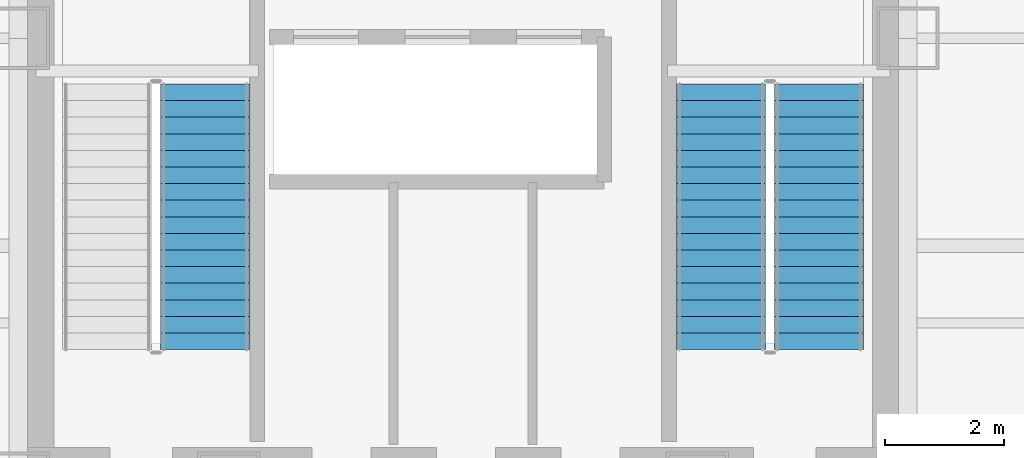
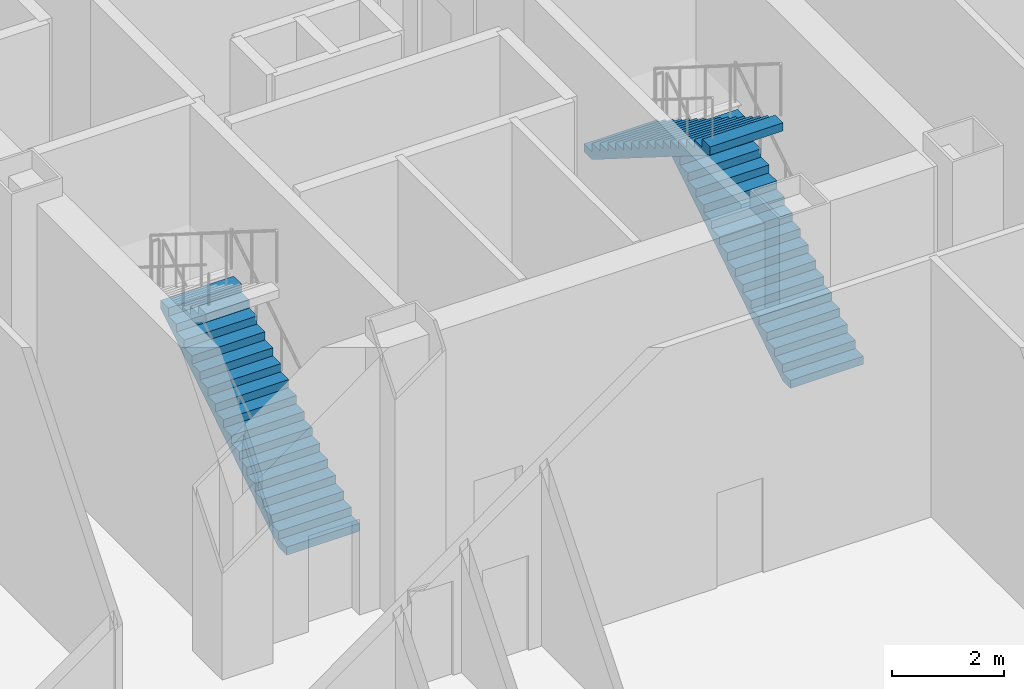
# One storey, part 4 of 7: 3 stair flights, 2 elements without a shape of their own.
"""IFC4 building model written with IfcOpenShell, lengths in metres."""

from ifc_helpers import new_model, si_unit, direction, frame, origin, place, context, subcontext, project, spatial, polyline, outline, extrude, material, type_object, element, aggregate, save


model = new_model("IFC4")

# Units and contexts
model_context = context("Model", 3, precision=1e-05, world=origin(), true_north=direction((0.0, 1.0)))
body_context = subcontext(model_context, "Body", "Model", "MODEL_VIEW")
ifc_project = project(units=[si_unit("LENGTHUNIT", "METRE"), si_unit("AREAUNIT", "SQUARE_METRE"), si_unit("VOLUMEUNIT", "CUBIC_METRE"), si_unit("PLANEANGLEUNIT", "RADIAN"), si_unit("MASSUNIT", "GRAM", prefix="KILO")], contexts=[model_context])

# Site, building, storey
site_placement = place(None, origin())
site = spatial("IfcSite", under=ifc_project, at=site_placement, CompositionType="ELEMENT")
building_placement = place(site_placement, origin())
building = spatial("IfcBuilding", under=site, at=building_placement, Name="Trevonay Congress Spire", CompositionType="ELEMENT")
storey_placement = place(building_placement, frame((0.0, 0.0, 160.199951171875)))
storey = spatial("IfcBuildingStorey", under=building, at=storey_placement, Name="L41", CompositionType="ELEMENT", Elevation=160.199951171875)

# Stair, stair flight
ifc_material = material(Name="Concrete C40/50", Category="concrete")
stair_type_1 = type_object("IfcStairType", Name="STR-ST-1", PredefinedType="HALF_TURN_STAIR", material=ifc_material)
stair_1_placement = place(storey_placement, origin())
stair_1 = element("IfcStair", 1, at=stair_1_placement, inside=storey, type_object=stair_type_1, Name="L41 Protected Exit Stair ST-1", PredefinedType="HALF_TURN_STAIR")
stair_flight_type_1 = type_object("IfcStairFlightType", Name="SFL-ST-1", PredefinedType="STRAIGHT", material=ifc_material)
stair_flight_1_placement = place(storey_placement, frame((-4.35009765625, -5.25, 0.0), z_axis=(0.0, 0.0, 1.0), x_axis=(0.0, 1.0, 0.0)))
stair_flight_1 = element("IfcStairFlight", 2, at=stair_flight_1_placement, type_object=stair_flight_type_1, Name="ST-1 flight 1", NumberOfRisers=17, NumberOfTreads=16, PredefinedType="STRAIGHT", RiserHeight=0.176470588, TreadLength=0.28, context=body_context, shape_type="SweptSolid", body=[
    extrude(outline(polyline([(0.0, 0.0), (0.0, 0.176513671875), (0.280029296875, 0.176513671875), (0.280029296875, 0.35302734375), (0.56005859375, 0.35302734375), (0.56005859375, 0.529296875), (0.840087890625, 0.529296875), (0.840087890625, 0.705810546875), (1.1201171875, 0.705810546875), (1.1201171875, 0.88232421875), (1.39990234375, 0.88232421875), (1.39990234375, 1.058837890625), (1.679931640625, 1.058837890625), (1.679931640625, 1.2353515625), (1.9599609375, 1.2353515625), (1.9599609375, 1.411865234375), (2.239990234375, 1.411865234375), (2.239990234375, 1.588134765625), (2.52001953125, 1.588134765625), (2.52001953125, 1.7646484375), (2.800048828125, 1.7646484375), (2.800048828125, 1.941162109375), (3.080078125, 1.941162109375), (3.080078125, 2.11767578125), (3.360107421875, 2.11767578125), (3.360107421875, 2.294189453125), (3.639892578125, 2.294189453125), (3.639892578125, 2.470703125), (3.919921875, 2.470703125), (3.919921875, 2.64697265625), (4.199951171875, 2.64697265625), (4.199951171875, 2.823486328125), (4.47998046875, 2.823486328125), (4.47998046875, 3.0), (4.47998046875, 2.646240234375), (0.28125, 0.0), (0.0, 0.0)])), frame((0.0, 0.75, 0.0), z_axis=(0.0, -1.0, 0.0), x_axis=(1.0, 0.0, 0.0)), (0.0, 0.0, 1.0), 1.5),
])
aggregate(stair_1, [stair_flight_1])

# Stair, stair flights
stair_type_2 = type_object("IfcStairType", Name="STR-ST-2", PredefinedType="HALF_TURN_STAIR", material=ifc_material)
stair_2_placement = place(storey_placement, origin())
stair_2 = element("IfcStair", 3, at=stair_2_placement, inside=storey, type_object=stair_type_2, Name="L41 Protected Exit Stair ST-2", PredefinedType="HALF_TURN_STAIR")
stair_flight_type_2 = type_object("IfcStairFlightType", Name="SFL-ST-2", PredefinedType="STRAIGHT", material=ifc_material)
stair_flight_2_placement = place(storey_placement, frame((6.0, -5.25, 0.0), z_axis=(0.0, 0.0, 1.0), x_axis=(0.0, 1.0, 0.0)))
stair_flight_2 = element("IfcStairFlight", 4, at=stair_flight_2_placement, type_object=stair_flight_type_2, Name="ST-2 flight 1", NumberOfRisers=17, NumberOfTreads=16, PredefinedType="STRAIGHT", RiserHeight=0.176470588, TreadLength=0.28, context=body_context, shape_type="SweptSolid", body=[
    extrude(outline(polyline([(0.0, 0.0), (0.0, 0.176513671875), (0.280029296875, 0.176513671875), (0.280029296875, 0.35302734375), (0.56005859375, 0.35302734375), (0.56005859375, 0.529296875), (0.840087890625, 0.529296875), (0.840087890625, 0.705810546875), (1.1201171875, 0.705810546875), (1.1201171875, 0.88232421875), (1.39990234375, 0.88232421875), (1.39990234375, 1.058837890625), (1.679931640625, 1.058837890625), (1.679931640625, 1.2353515625), (1.9599609375, 1.2353515625), (1.9599609375, 1.411865234375), (2.239990234375, 1.411865234375), (2.239990234375, 1.588134765625), (2.52001953125, 1.588134765625), (2.52001953125, 1.7646484375), (2.800048828125, 1.7646484375), (2.800048828125, 1.941162109375), (3.080078125, 1.941162109375), (3.080078125, 2.11767578125), (3.360107421875, 2.11767578125), (3.360107421875, 2.294189453125), (3.639892578125, 2.294189453125), (3.639892578125, 2.470703125), (3.919921875, 2.470703125), (3.919921875, 2.64697265625), (4.199951171875, 2.64697265625), (4.199951171875, 2.823486328125), (4.47998046875, 2.823486328125), (4.47998046875, 3.0), (4.47998046875, 2.646240234375), (0.28125, 0.0), (0.0, 0.0)])), frame((0.0, 0.75, 0.0), z_axis=(0.0, -1.0, 0.0), x_axis=(1.0, 0.0, 0.0)), (0.0, 0.0, 1.0), 1.5),
])
stair_flight_3_placement = place(storey_placement, frame((4.35009765625, -0.77001953125, 3.0), z_axis=(0.0, 0.0, 1.0), x_axis=(0.0, -1.0, 0.0)))
stair_flight_3 = element("IfcStairFlight", 5, at=stair_flight_3_placement, type_object=stair_flight_type_2, Name="ST-2 flight 2", NumberOfRisers=17, NumberOfTreads=16, PredefinedType="STRAIGHT", RiserHeight=0.176470588, TreadLength=0.28, context=body_context, shape_type="SweptSolid", body=[
    extrude(outline(polyline([(0.0, 0.0), (0.0, 0.176513671875), (0.280029296875, 0.176513671875), (0.280029296875, 0.35302734375), (0.56005859375, 0.35302734375), (0.56005859375, 0.529296875), (0.840087890625, 0.529296875), (0.840087890625, 0.705810546875), (1.1201171875, 0.705810546875), (1.1201171875, 0.88232421875), (1.39990234375, 0.88232421875), (1.39990234375, 1.058837890625), (1.679931640625, 1.058837890625), (1.679931640625, 1.2353515625), (1.9599609375, 1.2353515625), (1.9599609375, 1.411865234375), (2.239990234375, 1.411865234375), (2.239990234375, 1.588134765625), (2.52001953125, 1.588134765625), (2.52001953125, 1.7646484375), (2.800048828125, 1.7646484375), (2.800048828125, 1.941162109375), (3.080078125, 1.941162109375), (3.080078125, 2.11767578125), (3.360107421875, 2.11767578125), (3.360107421875, 2.294189453125), (3.639892578125, 2.294189453125), (3.639892578125, 2.470703125), (3.919921875, 2.470703125), (3.919921875, 2.64697265625), (4.199951171875, 2.64697265625), (4.199951171875, 2.823486328125), (4.47998046875, 2.823486328125), (4.47998046875, 3.0), (4.47998046875, 2.646240234375), (0.28125, 0.0), (0.0, 0.0)])), frame((0.0, 0.75, 0.0), z_axis=(0.0, -1.0, 0.0), x_axis=(1.0, 0.0, 0.0)), (0.0, 0.0, 1.0), 1.5),
])
aggregate(stair_2, [stair_flight_2, stair_flight_3])

save(model, "model.ifc")
